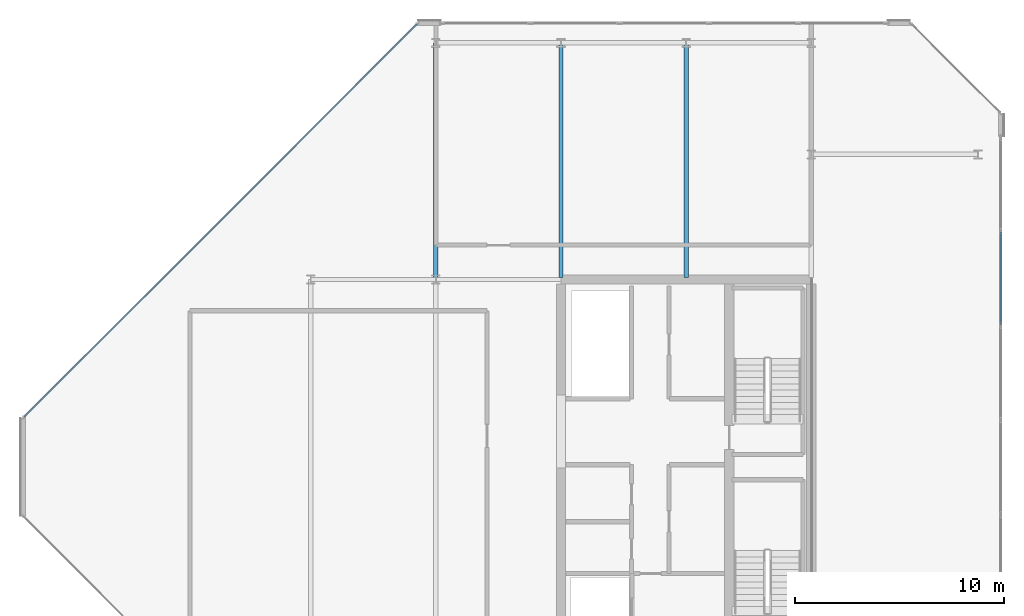
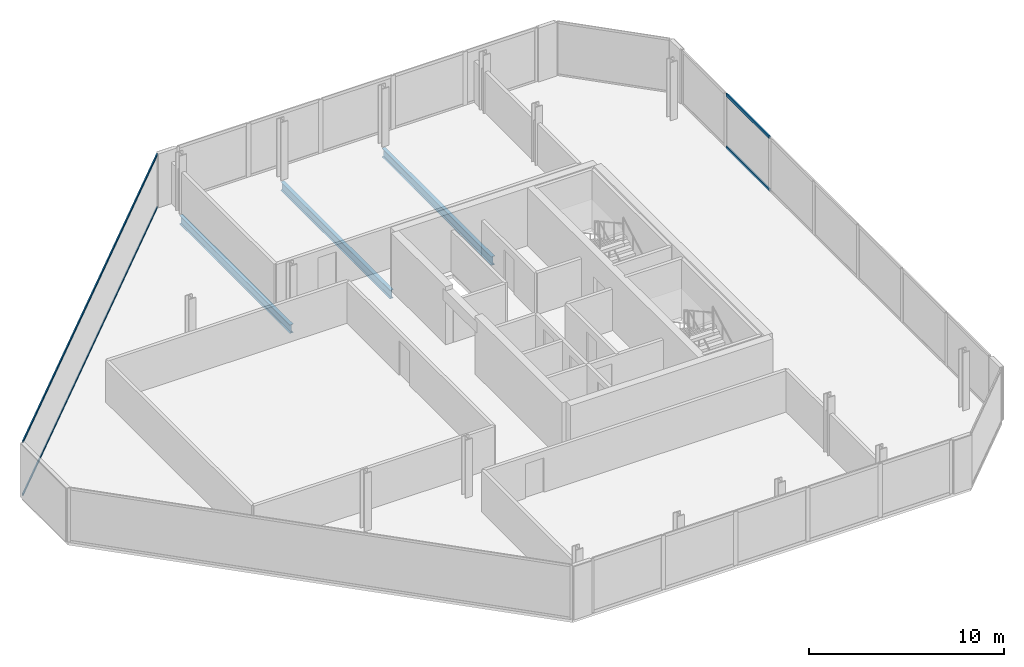
# One storey, part 9 of 16: 4 members, 3 beams, 2 elements without a shape of their own.
"""IFC4 building model written with IfcOpenShell, lengths in metres."""

from ifc_helpers import new_model, si_unit, direction, frame, origin, origin_2d, place, context, subcontext, project, spatial, hollow_rectangle, i_section, extrude, material, layer, layer_set, material_profile, profile_set, type_object, element, aggregate, save


model = new_model("IFC4")

# Units and contexts
model_context = context("Model", 3, precision=1e-05, world=origin(), true_north=direction((0.0, 1.0)))
body_context = subcontext(model_context, "Body", "Model", "MODEL_VIEW")
ifc_project = project(units=[si_unit("LENGTHUNIT", "METRE"), si_unit("AREAUNIT", "SQUARE_METRE"), si_unit("VOLUMEUNIT", "CUBIC_METRE"), si_unit("PLANEANGLEUNIT", "RADIAN"), si_unit("MASSUNIT", "GRAM", prefix="KILO")], contexts=[model_context])

# Site, building, storey
site_placement = place(None, origin())
site = spatial("IfcSite", under=ifc_project, at=site_placement, CompositionType="ELEMENT")
building_placement = place(site_placement, origin())
building = spatial("IfcBuilding", under=site, at=building_placement, Name="Tanjung Sevakor Pilgrim Tower", CompositionType="ELEMENT")
storey_placement = place(building_placement, frame((0.0, 0.0, 275.219970703125)))
storey = spatial("IfcBuildingStorey", under=building, at=storey_placement, Name="L77", CompositionType="ELEMENT", Elevation=275.219970703125)

# Beams
ifc_material_1 = material(Name="Steel S355J2", Category="steel")
ifc_material_profile_1 = material_profile(ifc_material_1, i_section(OverallWidth=0.210693359375, OverallDepth=0.53955078125, WebThickness=0.01171875, FlangeThickness=0.018798828125, FilletRadius=0.0126953125, at=origin_2d()))
ifc_profile_set_1 = profile_set([ifc_material_profile_1], Name="Steel S355J2")
beam_type = type_object("IfcBeamType", Name="BM-B-G6-UB_533x210x109", PredefinedType="BEAM", material=ifc_profile_set_1)
beam_placement = place(storey_placement, frame((72.0, 42.60009765625, -0.48974609375), z_axis=(0.0, 1.0, 0.0), x_axis=(-1.0, 0.0, 0.0)))
element("IfcBeam", 1, at=beam_placement, inside=storey, type_object=beam_type, Name="L77 EAST Girder 004", PredefinedType="BEAM", context=body_context, shape_type="SweptSolid", body=[
    extrude(i_section(OverallWidth=0.210693359375, OverallDepth=0.53955078125, WebThickness=0.01171875, FlangeThickness=0.018798828125, FilletRadius=0.0126953125, at=origin_2d()), origin(), (0.0, 0.0, 1.0), 11.349853515625),
])
for number, where, z_axis, x_axis, name in (
    (2, (78.0, 42.7060546875, -0.48974609375), (0.0, 1.0, 0.0), (-1.0, 0.0, 0.0), "L77 EAST Girder 006"),
    (3, (84.0, 42.7060546875, -0.48974609375), (0.0, 1.0, 0.0), (-1.0, 0.0, 0.0), "L77 EAST Girder 008"),
):
    element("IfcBeam", number, at=place(storey_placement, frame(where, z_axis=z_axis, x_axis=x_axis)), inside=storey, type_object=beam_type, Name=name, PredefinedType="BEAM", context=body_context, shape_type="SweptSolid", body=[
        extrude(i_section(OverallWidth=0.210693359375, OverallDepth=0.53955078125, WebThickness=0.01171875, FlangeThickness=0.018798828125, FilletRadius=0.0126953125, at=origin_2d()), origin(), (0.0, 0.0, 1.0), 11.243896484375),
    ])

# Curtain wall, members
ifc_material_2 = material(Name="Aluminium 6063-T6 and Low-E Glass", Category="aluminium")
ifc_layer_1 = layer(ifc_material_2, 0.179931640625)
ifc_layer_set_1 = layer_set([ifc_layer_1], Name="CW-SYS-CHAM")
curtain_wall_type_1 = type_object("IfcCurtainWallType", Name="CW-SYS-CHAM", PredefinedType="NOTDEFINED", material=ifc_layer_set_1)
curtain_wall_1_placement = place(storey_placement, origin())
curtain_wall_1 = element("IfcCurtainWall", 4, at=curtain_wall_1_placement, inside=storey, type_object=curtain_wall_type_1, Name="L77 Curtain Wall CW-CHM-L77-EAST-5", PredefinedType="NOTDEFINED")
ifc_material_3 = material(Name="Aluminium 6063-T6", Category="aluminium")
ifc_material_profile_2 = material_profile(ifc_material_3, hollow_rectangle(XDim=0.06494140625, YDim=0.139892578125, WallThickness=0.00390625, at=origin_2d()))
ifc_profile_set_2 = profile_set([ifc_material_profile_2], Name="Aluminium 6063-T6")
member_type_1 = type_object("IfcMemberType", Name="TYPE-CWT-1", PredefinedType="USERDEFINED", material=ifc_profile_set_2)
member_1_placement = place(storey_placement, frame((71.099609375, 54.843994140625, 0.032470703125), z_axis=(-0.707106781187, -0.707106781187, 0.0), x_axis=(0.707106781187, -0.707106781187, 0.0)))
member_1 = element("IfcMember", 5, at=member_1_placement, type_object=member_type_1, Name="CW-CHM transom 1.1", ObjectType="TRANSOM", PredefinedType="USERDEFINED", context=body_context, shape_type="SweptSolid", body=[
    extrude(hollow_rectangle(XDim=0.06494140625, YDim=0.139892578125, WallThickness=0.00390625, at=origin_2d()), origin(), (0.0, 0.0, 1.0), 26.649169921875),
])
member_2_placement = place(storey_placement, frame((71.099609375, 54.843994140625, 3.337646484375), z_axis=(-0.707106781187, -0.707106781187, 0.0), x_axis=(0.707106781187, -0.707106781187, 0.0)))
member_2 = element("IfcMember", 6, at=member_2_placement, type_object=member_type_1, Name="CW-CHM transom 1.2", ObjectType="TRANSOM", PredefinedType="USERDEFINED", context=body_context, shape_type="SweptSolid", body=[
    extrude(hollow_rectangle(XDim=0.06494140625, YDim=0.139892578125, WallThickness=0.00390625, at=origin_2d()), origin(), (0.0, 0.0, 1.0), 26.649169921875),
])
aggregate(curtain_wall_1, [member_1, member_2])

ifc_material_4 = material(Name="Aluminium 6063-T6 and Low-E Glass", Category="aluminium")
ifc_layer_2 = layer(ifc_material_4, 0.219970703125)
ifc_layer_set_2 = layer_set([ifc_layer_2], Name="CW-SYS-CRNE")
curtain_wall_type_2 = type_object("IfcCurtainWallType", Name="CW-SYS-CRNE", PredefinedType="NOTDEFINED", material=ifc_layer_set_2)
curtain_wall_2_placement = place(storey_placement, origin())
curtain_wall_2 = element("IfcCurtainWall", 7, at=curtain_wall_2_placement, inside=storey, type_object=curtain_wall_type_2, Name="L77 Curtain Wall CW-CRN-L77-EAST-2-1", PredefinedType="NOTDEFINED")
ifc_material_5 = material(Name="Aluminium 6063-T6", Category="aluminium")
ifc_material_profile_3 = material_profile(ifc_material_5, hollow_rectangle(XDim=0.080078125, YDim=0.179931640625, WallThickness=0.0048828125, at=origin_2d()))
ifc_profile_set_3 = profile_set([ifc_material_profile_3], Name="Aluminium 6063-T6")
member_type_2 = type_object("IfcMemberType", Name="TYPE-CWT-3", PredefinedType="USERDEFINED", material=ifc_profile_set_3)
member_3_placement = place(storey_placement, frame((99.090087890625, 40.434814453125, 0.0400390625), z_axis=(0.0, 1.0, 0.0), x_axis=(-1.0, 0.0, 0.0)))
member_3 = element("IfcMember", 8, at=member_3_placement, type_object=member_type_2, Name="CW-CRE transom 6.1", ObjectType="TRANSOM", PredefinedType="USERDEFINED", context=body_context, shape_type="SweptSolid", body=[
    extrude(hollow_rectangle(XDim=0.080078125, YDim=0.179931640625, WallThickness=0.0048828125, at=origin_2d()), origin(), (0.0, 0.0, 1.0), 4.44970703125),
])
member_4_placement = place(storey_placement, frame((99.090087890625, 40.434814453125, 3.330078125), z_axis=(0.0, 1.0, 0.0), x_axis=(-1.0, 0.0, 0.0)))
member_4 = element("IfcMember", 9, at=member_4_placement, type_object=member_type_2, Name="CW-CRE transom 6.2", ObjectType="TRANSOM", PredefinedType="USERDEFINED", context=body_context, shape_type="SweptSolid", body=[
    extrude(hollow_rectangle(XDim=0.080078125, YDim=0.179931640625, WallThickness=0.0048828125, at=origin_2d()), origin(), (0.0, 0.0, 1.0), 4.44970703125),
])
aggregate(curtain_wall_2, [member_3, member_4])

save(model, "model.ifc")
